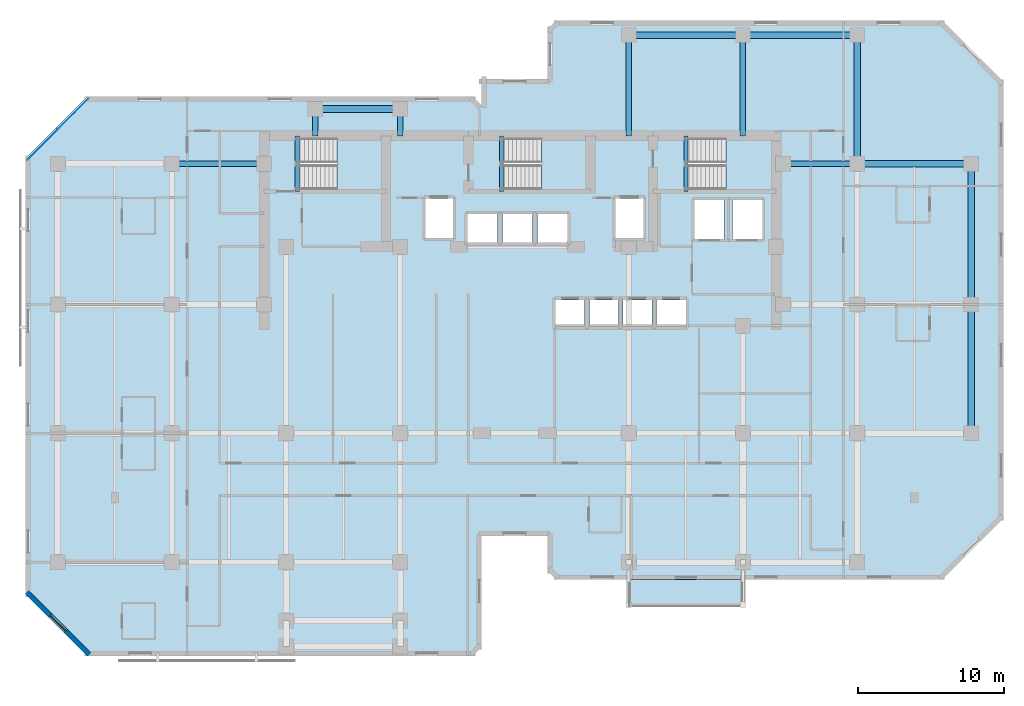
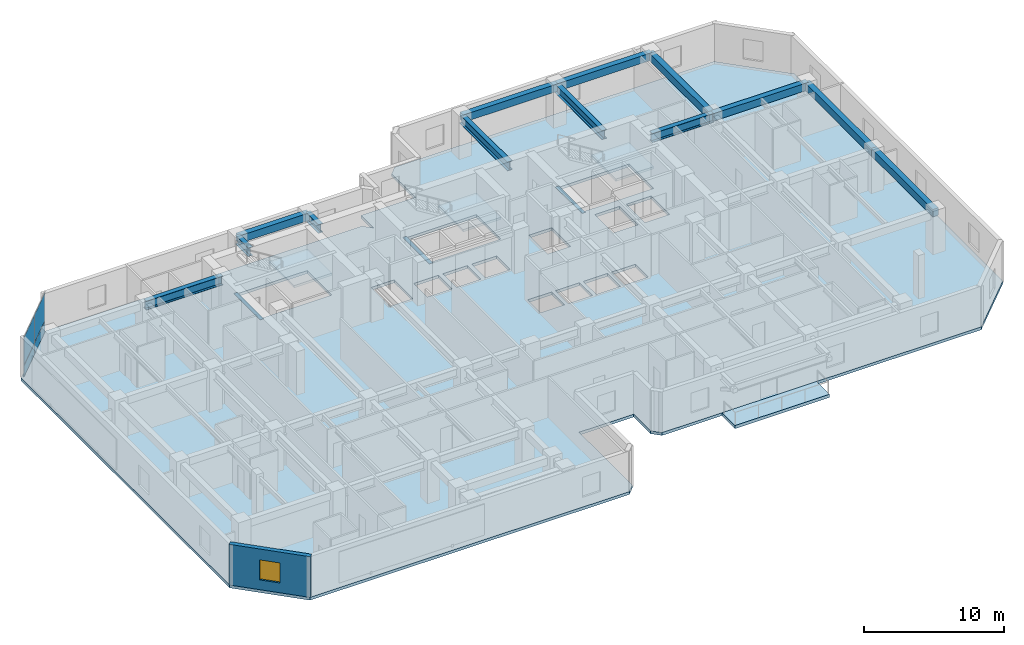
# One storey, part 4 of 11: 16 beams, 5 slabs, 4 plates, 1 wall, 1 window, 1 opening, 4 elements without a shape of their own.
"""IFC4 building model written with IfcOpenShell, lengths in metres."""

from ifc_helpers import new_model, si_unit, direction, frame, frame_2d, origin, origin_2d, place, context, subcontext, project, spatial, polyline, rectangle, i_section, outline, extrude, material, layer, layer_set, material_profile, profile_set, type_object, element, fill, aggregate, save


model = new_model("IFC4")

# Units and contexts
model_context = context("Model", 3, precision=1e-05, world=origin(), true_north=direction((0.0, 1.0)))
body_context = subcontext(model_context, "Body", "Model", "MODEL_VIEW")
ifc_project = project(units=[si_unit("LENGTHUNIT", "METRE"), si_unit("AREAUNIT", "SQUARE_METRE"), si_unit("VOLUMEUNIT", "CUBIC_METRE"), si_unit("PLANEANGLEUNIT", "RADIAN"), si_unit("MASSUNIT", "GRAM", prefix="KILO")], contexts=[model_context])

# Site, building, storey
site_placement = place(None, origin())
site = spatial("IfcSite", under=ifc_project, at=site_placement, CompositionType="ELEMENT")
building_placement = place(site_placement, origin())
building = spatial("IfcBuilding", under=site, at=building_placement, Name="Kestravale Grand Hotel", CompositionType="ELEMENT")
storey_placement = place(building_placement, frame((0.0, 0.0, 157.39990234375)))
storey = spatial("IfcBuildingStorey", under=building, at=storey_placement, Name="L39", CompositionType="ELEMENT", Elevation=157.39990234375)

# Beams
ifc_material_1 = material(Name="Concrete f'c 45 MPa", Category="concrete")
ifc_material_profile_1 = material_profile(ifc_material_1, rectangle(XDim=0.300048828125, YDim=0.39990234375, at=origin_2d()))
ifc_profile_set_1 = profile_set([ifc_material_profile_1], Name="Concrete f'c 45 MPa")
beam_type_1 = type_object("IfcBeamType", Name="B-FLR-LNT400", PredefinedType="LINTEL", material=ifc_profile_set_1)
for number, where, z_axis, x_axis, name in (
    (1, (24.159912109375, 36.52001953125, -0.199951171875), (0.0, 1.0, 0.0), (-1.0, 0.0, 0.0), "L39 ST1 flight bottom header beam"),
    (2, (38.110107421875, 36.52001953125, -0.199951171875), (0.0, 1.0, 0.0), (-1.0, 0.0, 0.0), "L39 ST2 flight bottom header beam"),
    (3, (50.7099609375, 36.52001953125, -0.199951171875), (0.0, 1.0, 0.0), (-1.0, 0.0, 0.0), "L39 ST3 flight bottom header beam"),
):
    element("IfcBeam", number, at=place(storey_placement, frame(where, z_axis=z_axis, x_axis=x_axis)), inside=storey, type_object=beam_type_1, Name=name, PredefinedType="LINTEL", context=body_context, shape_type="SweptSolid", body=[
        extrude(rectangle(XDim=0.300048828125, YDim=0.39990234375, at=origin_2d()), origin(), (0.0, 0.0, 1.0), 3.800048828125),
    ])
ifc_material_2 = material(Name="Concrete f'c 45 MPa", Category="concrete")
ifc_material_profile_2 = material_profile(ifc_material_2, rectangle(XDim=0.449951171875, YDim=0.64990234375, at=origin_2d()))
ifc_profile_set_2 = profile_set([ifc_material_profile_2], Name="Concrete f'c 45 MPa")
beam_type_2 = type_object("IfcBeamType", Name="B-FLR-RC650", PredefinedType="SPANDREL", material=ifc_profile_set_2)
for number, where, z_axis, x_axis, name in (
    (4, (62.39990234375, 38.39990234375, 3.22509765625), (1.0, 0.0, 0.0), (0.0, 1.0, 0.0), "L39 spandrel F:10-11"),
    (5, (46.800048828125, 47.199951171875, 3.22509765625), (1.0, 0.0, 0.0), (0.0, 1.0, 0.0), "L39 spandrel G:8-9"),
):
    element("IfcBeam", number, at=place(storey_placement, frame(where, z_axis=z_axis, x_axis=x_axis)), inside=storey, type_object=beam_type_2, Name=name, PredefinedType="SPANDREL", context=body_context, shape_type="SweptSolid", body=[
        extrude(rectangle(XDim=0.449951171875, YDim=0.64990234375, at=origin_2d()), origin(), (0.0, 0.0, 1.0), 7.800048828125),
    ])
beam_1_placement = place(storey_placement, frame((54.60009765625, 47.199951171875, 3.22509765625), z_axis=(1.0, 0.0, 0.0), x_axis=(0.0, 1.0, 0.0)))
element("IfcBeam", 6, at=beam_1_placement, inside=storey, type_object=beam_type_2, Name="L39 spandrel G:9-10", PredefinedType="SPANDREL", context=body_context, shape_type="SweptSolid", body=[
    extrude(rectangle(XDim=0.449951171875, YDim=0.64990234375, at=origin_2d()), origin(), (0.0, 0.0, 1.0), 7.7998046875),
])
beam_2_placement = place(storey_placement, frame((25.39990234375, 42.14990234375, 3.22509765625), z_axis=(1.0, 0.0, 0.0), x_axis=(0.0, 1.0, 0.0)))
element("IfcBeam", 7, at=beam_2_placement, inside=storey, type_object=beam_type_2, Name="L39 perimeter tie spandrel FN:4-5", PredefinedType="SPANDREL", context=body_context, shape_type="SweptSolid", body=[
    extrude(rectangle(XDim=0.449951171875, YDim=0.64990234375, at=origin_2d()), origin(), (0.0, 0.0, 1.0), 5.800048828125),
])
for number, where, z_axis, x_axis, name in (
    (8, (62.39990234375, 38.39990234375, 3.22509765625), (0.0, 1.0, 0.0), (-1.0, 0.0, 0.0), "L39 spandrel 10:F-G"),
    (9, (70.199951171875, 20.0, 3.22509765625), (0.0, 1.0, 0.0), (-1.0, 0.0, 0.0), "L39 spandrel 11:D-E"),
):
    element("IfcBeam", number, at=place(storey_placement, frame(where, z_axis=z_axis, x_axis=x_axis)), inside=storey, type_object=beam_type_2, Name=name, PredefinedType="SPANDREL", context=body_context, shape_type="SweptSolid", body=[
        extrude(rectangle(XDim=0.449951171875, YDim=0.64990234375, at=origin_2d()), origin(), (0.0, 0.0, 1.0), 8.800048828125),
    ])
beam_3_placement = place(storey_placement, frame((70.199951171875, 28.800048828125, 3.22509765625), z_axis=(0.0, 1.0, 0.0), x_axis=(-1.0, 0.0, 0.0)))
element("IfcBeam", 10, at=beam_3_placement, inside=storey, type_object=beam_type_2, Name="L39 spandrel 11:E-F", PredefinedType="SPANDREL", context=body_context, shape_type="SweptSolid", body=[
    extrude(rectangle(XDim=0.449951171875, YDim=0.64990234375, at=origin_2d()), origin(), (0.0, 0.0, 1.0), 9.599853515625),
])
ifc_material_3 = material(Name="Steel ASTM A992 Grade 50", Category="steel")
ifc_material_profile_3 = material_profile(ifc_material_3, i_section(OverallWidth=0.381103515625, OverallDepth=0.77197265625, WebThickness=0.0166015625, FlangeThickness=0.027099609375, FilletRadius=0.023681640625, at=origin_2d()))
ifc_profile_set_3 = profile_set([ifc_material_profile_3], Name="Steel ASTM A992 Grade 50")
beam_type_3 = type_object("IfcBeamType", Name="B-GRD-W30", PredefinedType="BEAM", material=ifc_profile_set_3)
beam_4_placement = place(storey_placement, frame((15.60009765625, 38.39990234375, 3.1640625), z_axis=(1.0, 0.0, 0.0), x_axis=(0.0, 1.0, 0.0)))
element("IfcBeam", 11, at=beam_4_placement, inside=storey, type_object=beam_type_3, Name="L39 girder F:3-CW", PredefinedType="BEAM", context=body_context, shape_type="SweptSolid", body=[
    extrude(i_section(OverallWidth=0.381103515625, OverallDepth=0.77197265625, WebThickness=0.0166015625, FlangeThickness=0.027099609375, FilletRadius=0.023681640625, at=origin_2d()), origin(), (0.0, 0.0, 1.0), 6.2998046875),
])
beam_5_placement = place(storey_placement, frame((57.35009765625, 38.39990234375, 3.1640625), z_axis=(1.0, 0.0, 0.0), x_axis=(0.0, 1.0, 0.0)))
element("IfcBeam", 12, at=beam_5_placement, inside=storey, type_object=beam_type_3, Name="L39 girder F:CE-10", PredefinedType="BEAM", context=body_context, shape_type="SweptSolid", body=[
    extrude(i_section(OverallWidth=0.381103515625, OverallDepth=0.77197265625, WebThickness=0.0166015625, FlangeThickness=0.027099609375, FilletRadius=0.023681640625, at=origin_2d()), origin(), (0.0, 0.0, 1.0), 5.0498046875),
])
for number, where, z_axis, x_axis, name in (
    (13, (25.39990234375, 40.320068359375, 3.1640625), (0.0, 1.0, 0.0), (-1.0, 0.0, 0.0), "L39 north wing tie girder 4:CN-FN"),
    (14, (31.199951171875, 40.320068359375, 3.1640625), (0.0, 1.0, 0.0), (-1.0, 0.0, 0.0), "L39 north wing tie girder 5:CN-FN"),
):
    element("IfcBeam", number, at=place(storey_placement, frame(where, z_axis=z_axis, x_axis=x_axis)), inside=storey, type_object=beam_type_3, Name=name, PredefinedType="BEAM", context=body_context, shape_type="SweptSolid", body=[
        extrude(i_section(OverallWidth=0.381103515625, OverallDepth=0.77197265625, WebThickness=0.0166015625, FlangeThickness=0.027099609375, FilletRadius=0.023681640625, at=origin_2d()), origin(), (0.0, 0.0, 1.0), 1.829833984375),
    ])
for number, where, z_axis, x_axis, name in (
    (15, (46.800048828125, 40.320068359375, 3.1640625), (0.0, 1.0, 0.0), (-1.0, 0.0, 0.0), "L39 north wing tie girder 8:CN-G"),
    (16, (54.60009765625, 40.320068359375, 3.1640625), (0.0, 1.0, 0.0), (-1.0, 0.0, 0.0), "L39 north wing tie girder 9:CN-G"),
):
    element("IfcBeam", number, at=place(storey_placement, frame(where, z_axis=z_axis, x_axis=x_axis)), inside=storey, type_object=beam_type_3, Name=name, PredefinedType="BEAM", context=body_context, shape_type="SweptSolid", body=[
        extrude(i_section(OverallWidth=0.381103515625, OverallDepth=0.77197265625, WebThickness=0.0166015625, FlangeThickness=0.027099609375, FilletRadius=0.023681640625, at=origin_2d()), origin(), (0.0, 0.0, 1.0), 6.8798828125),
    ])

# Curtain wall, plates
ifc_material_4 = material(Name="Thermally broken champagne-bronze aluminium and low-E glazing", Category="aluminium")
ifc_layer_1 = layer(ifc_material_4, 0.179931640625)
ifc_layer_set_1 = layer_set([ifc_layer_1], Name="CW-Z3")
curtain_wall_type = type_object("IfcCurtainWallType", Name="CW-Z3", PredefinedType="NOTDEFINED", material=ifc_layer_set_1)
curtain_wall_placement = place(storey_placement, origin())
curtain_wall = element("IfcCurtainWall", 17, at=curtain_wall_placement, inside=storey, type_object=curtain_wall_type, Name="L39 unitised curtain wall 18", PredefinedType="NOTDEFINED")
ifc_material_5 = material(Name="Insulated clear low-E double glazing IGU", Category="glass")
ifc_layer_2 = layer(ifc_material_5, 0.031982421875)
ifc_layer_set_2 = layer_set([ifc_layer_2], Name="CW-PNL-32")
plate_type = type_object("IfcPlateType", Name="CW-PNL-32", PredefinedType="CURTAIN_PANEL", material=ifc_layer_set_2)
plate_1_placement = place(storey_placement, frame((8.86572265625, 41.825439453125, 0.06494140625), z_axis=(0.0, 0.0, 1.0), x_axis=(-0.707106781187, -0.707106781187, 0.0)))
plate_1 = element("IfcPlate", 18, at=plate_1_placement, type_object=plate_type, Name="CW-Z3 panel 1.1", PredefinedType="CURTAIN_PANEL", context=body_context, shape_type="SweptSolid", body=[
    extrude(rectangle(XDim=2.892333984375, YDim=0.031982421875, at=origin_2d()), origin(), (0.0, 0.0, 1.0), 0.952392578125),
])
plate_2_placement = place(storey_placement, frame((8.86572265625, 41.825439453125, 1.08251953125), z_axis=(0.0, 0.0, 1.0), x_axis=(-0.707106781187, -0.707106781187, 0.0)))
plate_2 = element("IfcPlate", 19, at=plate_2_placement, type_object=plate_type, Name="CW-Z3 panel 1.2", PredefinedType="CURTAIN_PANEL", context=body_context, shape_type="SweptSolid", body=[
    extrude(rectangle(XDim=2.892333984375, YDim=0.031982421875, at=origin_2d()), origin(), (0.0, 0.0, 1.0), 2.402587890625),
])
plate_3_placement = place(storey_placement, frame((6.774658203125, 39.734130859375, 0.06494140625), z_axis=(0.0, 0.0, 1.0), x_axis=(-0.707106781187, -0.707106781187, 0.0)))
plate_3 = element("IfcPlate", 20, at=plate_3_placement, type_object=plate_type, Name="CW-Z3 panel 2.1", PredefinedType="CURTAIN_PANEL", context=body_context, shape_type="SweptSolid", body=[
    extrude(rectangle(XDim=2.892333984375, YDim=0.031982421875, at=origin_2d()), origin(), (0.0, 0.0, 1.0), 0.952392578125),
])
plate_4_placement = place(storey_placement, frame((6.774658203125, 39.734130859375, 1.08251953125), z_axis=(0.0, 0.0, 1.0), x_axis=(-0.707106781187, -0.707106781187, 0.0)))
plate_4 = element("IfcPlate", 21, at=plate_4_placement, type_object=plate_type, Name="CW-Z3 panel 2.2", PredefinedType="CURTAIN_PANEL", context=body_context, shape_type="SweptSolid", body=[
    extrude(rectangle(XDim=2.892333984375, YDim=0.031982421875, at=origin_2d()), origin(), (0.0, 0.0, 1.0), 2.402587890625),
])
aggregate(curtain_wall, [plate_1, plate_2, plate_3, plate_4])

# Slab
ifc_material_6 = material(Name="Concrete f'c 45 MPa", Category="concrete")
ifc_layer_3 = layer(ifc_material_6, 0.27001953125)
ifc_layer_set_3 = layer_set([ifc_layer_3], Name="ES-TERR-270")
slab_type_1 = type_object("IfcSlabType", Name="ES-TERR-270", PredefinedType="FLOOR", material=ifc_layer_set_3)
slab_1_placement = place(storey_placement, frame((0.0, 0.0, -0.27001953125)))
element("IfcSlab", 22, at=slab_1_placement, inside=storey, type_object=slab_type_1, Name="L39 spiralling planted garden terrace", PredefinedType="FLOOR", context=body_context, shape_type="SweptSolid", body=[
    extrude(outline(polyline([(46.800048828125, 8.14990234375), (54.60009765625, 8.14990234375), (54.60009765625, 10.0), (46.800048828125, 10.0), (46.800048828125, 8.14990234375)])), origin(), (0.0, 0.0, 1.0), 0.27001953125),
])

# Stair, slab
ifc_material_7 = material(Name="Concrete f'c 45 MPa", Category="concrete")
stair_type = type_object("IfcStairType", Name="ST-CORE-380", PredefinedType="HALF_TURN_STAIR", material=ifc_material_7)
stair_1_placement = place(storey_placement, origin())
stair_1 = element("IfcStair", 23, at=stair_1_placement, inside=storey, type_object=stair_type, Name="L39 ST-1", PredefinedType="HALF_TURN_STAIR")
ifc_material_8 = material(Name="Concrete f'c 45 MPa", Category="concrete")
ifc_layer_4 = layer(ifc_material_8, 0.199951171875)
ifc_layer_set_4 = layer_set([ifc_layer_4], Name="SLB-ST-LND200")
slab_type_2 = type_object("IfcSlabType", Name="SLB-ST-LND200", PredefinedType="LANDING", material=ifc_layer_set_4)
slab_2_placement = place(storey_placement, frame((0.0, 0.0, 1.7001953125)))
slab_2 = element("IfcSlab", 24, at=slab_2_placement, type_object=slab_type_2, Name="ST-1 landing 1", PredefinedType="LANDING", context=body_context, shape_type="SweptSolid", body=[
    extrude(outline(polyline([(26.8798828125, 36.64990234375), (30.0, 36.64990234375), (30.0, 40.159912109375), (26.8798828125, 40.159912109375), (26.8798828125, 36.64990234375)])), origin(), (0.0, 0.0, 1.0), 0.199951171875),
])
aggregate(stair_1, [slab_2])

stair_2_placement = place(storey_placement, origin())
stair_2 = element("IfcStair", 25, at=stair_2_placement, inside=storey, type_object=stair_type, Name="L39 ST-2", PredefinedType="HALF_TURN_STAIR")
slab_3_placement = place(storey_placement, frame((0.0, 0.0, 1.7001953125)))
slab_3 = element("IfcSlab", 26, at=slab_3_placement, type_object=slab_type_2, Name="ST-2 landing 1", PredefinedType="LANDING", context=body_context, shape_type="SweptSolid", body=[
    extrude(outline(polyline([(40.830078125, 36.64990234375), (43.949951171875, 36.64990234375), (43.949951171875, 40.159912109375), (40.830078125, 40.159912109375), (40.830078125, 36.64990234375)])), origin(), (0.0, 0.0, 1.0), 0.199951171875),
])
aggregate(stair_2, [slab_3])

stair_3_placement = place(storey_placement, origin())
stair_3 = element("IfcStair", 27, at=stair_3_placement, inside=storey, type_object=stair_type, Name="L39 ST-3", PredefinedType="HALF_TURN_STAIR")
slab_4_placement = place(storey_placement, frame((0.0, 0.0, 1.7001953125)))
slab_4 = element("IfcSlab", 28, at=slab_4_placement, type_object=slab_type_2, Name="ST-3 landing 1", PredefinedType="LANDING", context=body_context, shape_type="SweptSolid", body=[
    extrude(outline(polyline([(53.429931640625, 36.64990234375), (56.550048828125, 36.64990234375), (56.550048828125, 40.159912109375), (53.429931640625, 40.159912109375), (53.429931640625, 36.64990234375)])), origin(), (0.0, 0.0, 1.0), 0.199951171875),
])
aggregate(stair_3, [slab_4])

# Slab
ifc_material_9 = material(Name="Concrete f'c 45 MPa", Category="concrete")
ifc_layer_5 = layer(ifc_material_9, 0.25)
ifc_layer_set_5 = layer_set([ifc_layer_5], Name="SS-FLR-250")
slab_type_3 = type_object("IfcSlabType", Name="SS-FLR-250", PredefinedType="FLOOR", material=ifc_layer_set_5)
slab_5_placement = place(storey_placement, frame((0.0, 0.0, -0.25)))
element("IfcSlab", 29, at=slab_5_placement, inside=storey, type_object=slab_type_3, Name="L39 structural floor slab", PredefinedType="FLOOR", context=body_context, shape_type="SweptSolid", body=[
    extrude(outline(polyline([(9.800048828125, 4.800048828125), (36.14990234375, 4.800048828125), (36.75, 5.39990234375), (36.75, 13.0), (41.25, 13.0), (41.25, 10.60009765625), (41.85009765625, 10.0), (68.199951171875, 10.0), (72.39990234375, 14.199951171875), (72.39990234375, 44.0), (68.199951171875, 48.199951171875), (41.85009765625, 48.199951171875), (41.25, 47.60009765625), (41.25, 44.199951171875), (36.75, 44.199951171875), (36.75, 42.39990234375), (36.14990234375, 43.0), (9.800048828125, 43.0), (5.60009765625, 38.800048828125), (5.60009765625, 9.0), (9.800048828125, 4.800048828125)]), holes=[polyline([(24.080078125, 36.64990234375), (30.0, 36.64990234375), (30.0, 40.159912109375), (24.080078125, 40.159912109375), (24.080078125, 36.64990234375)]), polyline([(38.030029296875, 36.64990234375), (43.949951171875, 36.64990234375), (43.949951171875, 40.159912109375), (38.030029296875, 40.159912109375), (38.030029296875, 36.64990234375)]), polyline([(50.6298828125, 36.64990234375), (56.550048828125, 36.64990234375), (56.550048828125, 40.159912109375), (50.6298828125, 40.159912109375), (50.6298828125, 36.64990234375)]), polyline([(41.804931640625, 27.280029296875), (43.794921875, 27.280029296875), (43.794921875, 29.1201171875), (41.804931640625, 29.1201171875), (41.804931640625, 27.280029296875)]), polyline([(44.10498046875, 27.280029296875), (46.094970703125, 27.280029296875), (46.094970703125, 29.1201171875), (44.10498046875, 29.1201171875), (44.10498046875, 27.280029296875)]), polyline([(46.405029296875, 27.280029296875), (48.39501953125, 27.280029296875), (48.39501953125, 29.1201171875), (46.405029296875, 29.1201171875), (46.405029296875, 27.280029296875)]), polyline([(48.705078125, 27.280029296875), (50.695068359375, 27.280029296875), (50.695068359375, 29.1201171875), (48.705078125, 29.1201171875), (48.705078125, 27.280029296875)]), polyline([(35.780029296875, 33.030029296875), (37.820068359375, 33.030029296875), (37.820068359375, 34.969970703125), (35.780029296875, 34.969970703125), (35.780029296875, 33.030029296875)]), polyline([(38.179931640625, 33.030029296875), (40.219970703125, 33.030029296875), (40.219970703125, 34.969970703125), (38.179931640625, 34.969970703125), (38.179931640625, 33.030029296875)]), polyline([(40.580078125, 33.030029296875), (42.6201171875, 33.030029296875), (42.6201171875, 34.969970703125), (40.580078125, 34.969970703125), (40.580078125, 33.030029296875)]), polyline([(32.905029296875, 33.35498046875), (34.794921875, 33.35498046875), (34.794921875, 36.044921875), (32.905029296875, 36.044921875), (32.905029296875, 33.35498046875)]), polyline([(45.905029296875, 33.35498046875), (47.794921875, 33.35498046875), (47.794921875, 36.044921875), (45.905029296875, 36.044921875), (45.905029296875, 33.35498046875)]), polyline([(51.280029296875, 33.280029296875), (53.320068359375, 33.280029296875), (53.320068359375, 35.919921875), (51.280029296875, 35.919921875), (51.280029296875, 33.280029296875)]), polyline([(53.8798828125, 33.280029296875), (55.919921875, 33.280029296875), (55.919921875, 35.919921875), (53.8798828125, 35.919921875), (53.8798828125, 33.280029296875)])]), origin(), (0.0, 0.0, 1.0), 0.25),
])

# Wall, opening, window
ifc_material_10 = material(Name="Precast concrete f'c 45 MPa", Category="concrete")
ifc_layer_6 = layer(ifc_material_10, 0.340087890625)
ifc_layer_set_6 = layer_set([ifc_layer_6], Name="EW-PREC-340")
wall_type = type_object("IfcWallType", Name="EW-PREC-340", PredefinedType="SOLIDWALL", material=ifc_layer_set_6)
wall_placement = place(storey_placement, frame((5.69189453125, 9.1484375, 0.0), z_axis=(0.0, 0.0, 1.0), x_axis=(0.707106781187, -0.707106781187, 0.0)))
wall = element("IfcWall", 30, at=wall_placement, inside=storey, type_object=wall_type, Name="L39 fluted precast facade wall 20", PredefinedType="SOLIDWALL", context=body_context, shape_type="SweptSolid", body=[
    extrude(rectangle(XDim=6.019775390625, YDim=0.340087890625, at=frame_2d((3.009765625, 0.0))), origin(), (0.0, 0.0, 1.0), 3.550048828125),
])
opening_placement = place(wall_placement, frame((2.260009765625, 0.0, 0.85009765625)))
opening = element("IfcOpeningElement", 31, at=opening_placement, cuts=wall, Name="Opening W-GUEST-1500", PredefinedType="OPENING", context=body_context, shape_type="SweptSolid", body=[
    extrude(rectangle(XDim=1.5, YDim=1.75, at=frame_2d((0.75, 0.875))), frame((0.0, 0.179931640625, 0.0), z_axis=(0.0, -1.0, 0.0), x_axis=(1.0, 0.0, 0.0)), (0.0, 0.0, 1.0), 0.360107421875),
])
ifc_material_11 = material(Name="Insulated low-E double glazing in aluminium frame", Category="aluminium")
window_type = type_object("IfcWindowType", Name="W-GUEST-1500", PartitioningType="SINGLE_PANEL", PredefinedType="WINDOW", material=ifc_material_11)
window_placement = place(opening_placement, origin())
window = element("IfcWindow", 32, at=window_placement, inside=storey, type_object=window_type, Name="L39 exterior window 20.1", OverallHeight=1.75, OverallWidth=1.5, PartitioningType="SINGLE_PANEL", PredefinedType="WINDOW", context=body_context, shape_type="SweptSolid", body=[
    extrude(rectangle(XDim=1.5, YDim=1.75, at=frame_2d((0.75, 0.875))), frame((0.0, 0.030029296875, 0.0), z_axis=(0.0, -1.0, 0.0), x_axis=(1.0, 0.0, 0.0)), (0.0, 0.0, 1.0), 0.06005859375),
])
fill(opening, window)

save(model, "model.ifc")
